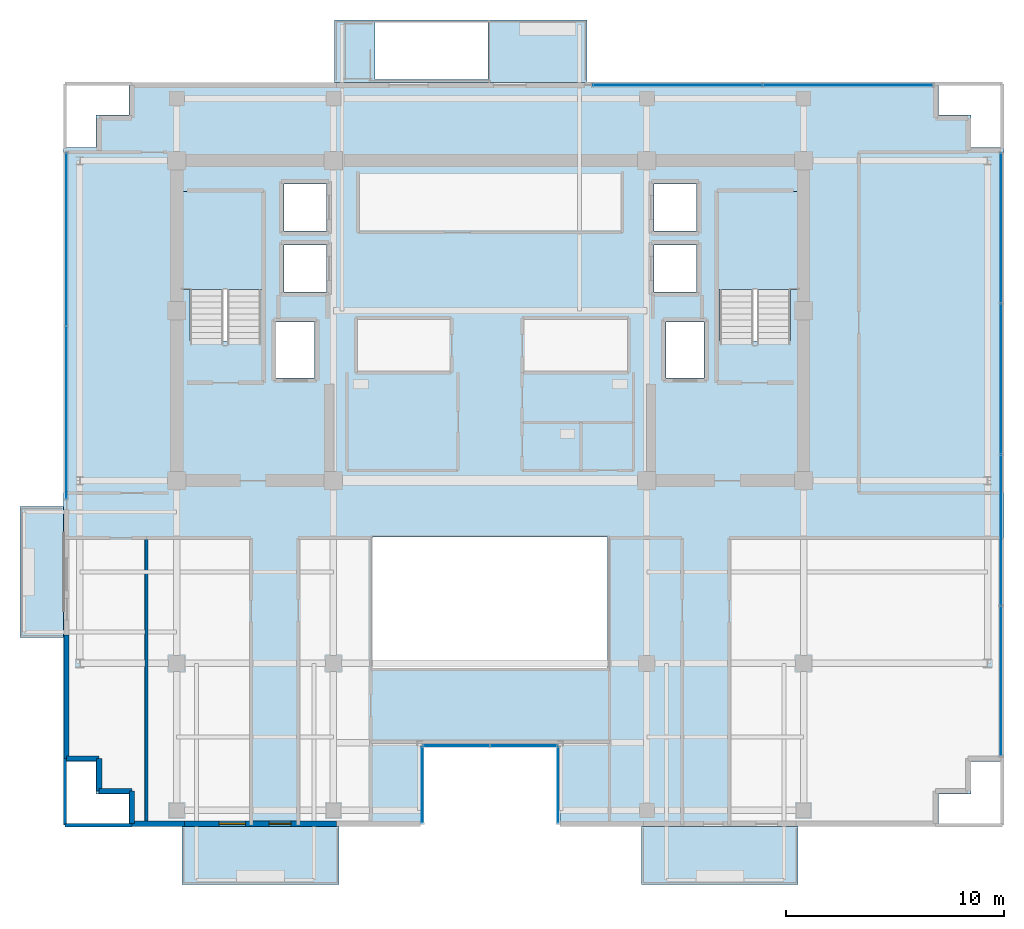
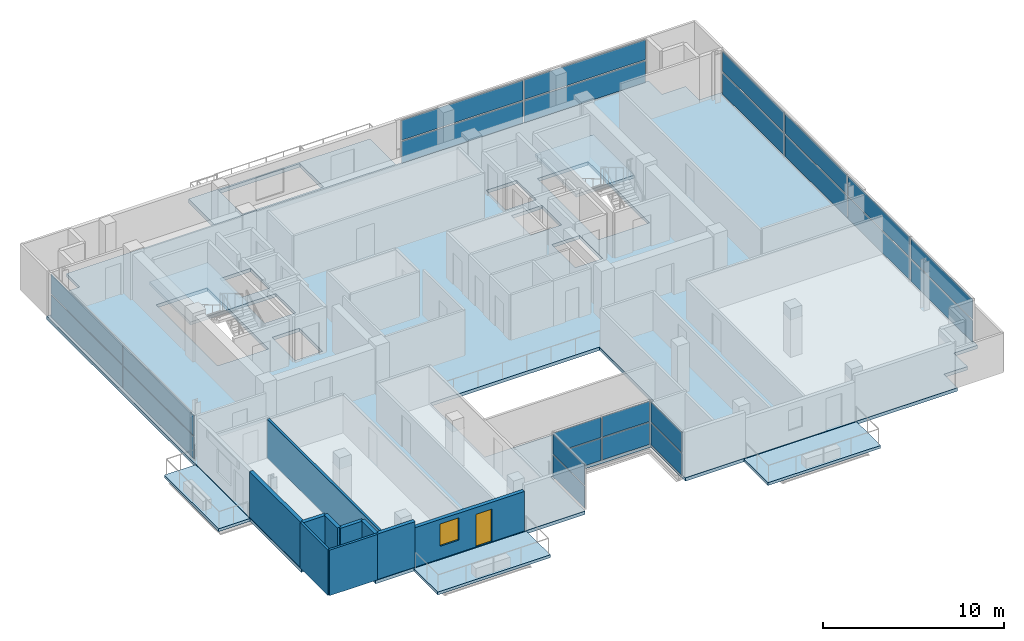
# One storey, part 15 of 24: 24 plates, 10 walls, 7 slabs, 1 door, 1 window, 2 openings, 8 elements without a shape of their own.
"""IFC4 building model written with IfcOpenShell, lengths in metres."""

from ifc_helpers import new_model, si_unit, direction, frame, frame_2d, origin, origin_2d, place, context, subcontext, project, spatial, polyline, rectangle, outline, extrude, source, transform, mapped, material, layer, layer_set, type_object, element, fill, aggregate, save


model = new_model("IFC4")

# Units and contexts
model_context = context("Model", 3, precision=1e-05, world=origin(), true_north=direction((0.0, 1.0)))
body_context = subcontext(model_context, "Body", "Model", "MODEL_VIEW")
ifc_project = project(units=[si_unit("LENGTHUNIT", "METRE"), si_unit("AREAUNIT", "SQUARE_METRE"), si_unit("VOLUMEUNIT", "CUBIC_METRE"), si_unit("PLANEANGLEUNIT", "RADIAN"), si_unit("MASSUNIT", "GRAM", prefix="KILO")], contexts=[model_context])

# Site, building, storey
site_placement = place(None, origin())
site = spatial("IfcSite", under=ifc_project, at=site_placement, CompositionType="ELEMENT")
building_placement = place(site_placement, origin())
building = spatial("IfcBuilding", under=site, at=building_placement, Name="Zarnakvel Exchange Tower", CompositionType="ELEMENT")
storey_placement = place(building_placement, frame((0.0, 0.0, 235.300048828125)))
storey = spatial("IfcBuildingStorey", under=building, at=storey_placement, Name="L66", CompositionType="ELEMENT", Elevation=235.300048828125)

# Stair, slab
ifc_material_1 = material(Name="Concrete C40/50", Category="concrete")
stair_type = type_object("IfcStairType", Name="STR-01", PredefinedType="HALF_TURN_STAIR", material=ifc_material_1)
stair_1_placement = place(storey_placement, origin())
stair_1 = element("IfcStair", 1, at=stair_1_placement, inside=storey, type_object=stair_type, Name="L66 Protected Core Exit Stair ST-01", PredefinedType="HALF_TURN_STAIR")
ifc_layer_1 = layer(ifc_material_1, 0.199951171875)
ifc_layer_set_1 = layer_set([ifc_layer_1], Name="Concrete C40/50")
slab_type_1 = type_object("IfcSlabType", Name="LDG-01", PredefinedType="LANDING", material=ifc_layer_set_1)
slab_1_placement = place(storey_placement, frame((0.0, 0.0, 1.449951171875)))
slab_1 = element("IfcSlab", 2, at=slab_1_placement, type_object=slab_type_1, Name="ST-01 landing 1", PredefinedType="LANDING", context=body_context, shape_type="SweptSolid", body=[
    extrude(outline(polyline([(-14.18994140625, 7.570068359375), (-10.4599609375, 7.570068359375), (-10.4599609375, 12.080078125), (-14.18994140625, 12.080078125), (-14.18994140625, 7.570068359375)])), origin(), (0.0, 0.0, 1.0), 0.199951171875),
])
aggregate(stair_1, [slab_1])

stair_2_placement = place(storey_placement, origin())
stair_2 = element("IfcStair", 3, at=stair_2_placement, inside=storey, type_object=stair_type, Name="L66 Protected Core Exit Stair ST-02", PredefinedType="HALF_TURN_STAIR")
slab_2_placement = place(storey_placement, frame((0.0, 0.0, 1.449951171875)))
slab_2 = element("IfcSlab", 4, at=slab_2_placement, type_object=slab_type_1, Name="ST-02 landing 1", PredefinedType="LANDING", context=body_context, shape_type="SweptSolid", body=[
    extrude(outline(polyline([(10.4599609375, 7.570068359375), (14.18994140625, 7.570068359375), (14.18994140625, 12.080078125), (10.4599609375, 12.080078125), (10.4599609375, 7.570068359375)])), origin(), (0.0, 0.0, 1.0), 0.199951171875),
])
aggregate(stair_2, [slab_2])

# Slabs
ifc_layer_2 = layer(ifc_material_1, 0.22509765625)
ifc_layer_set_2 = layer_set([ifc_layer_2], Name="Concrete C40/50")
slab_type_2 = type_object("IfcSlabType", Name="SL-04", PredefinedType="FLOOR", material=ifc_layer_set_2)
slab_3_placement = place(storey_placement, frame((0.0, 0.0, -0.22509765625)))
element("IfcSlab", 5, at=slab_3_placement, inside=storey, type_object=slab_type_2, Name="L66 Primary Structural Floor Slab", PredefinedType="FLOOR", context=body_context, shape_type="SweptSolid", body=[
    extrude(outline(polyline([(-19.60009765625, -14.10009765625), (-18.10009765625, -14.10009765625), (-18.10009765625, -15.60009765625), (-16.60009765625, -15.60009765625), (-16.60009765625, -17.10009765625), (-3.199951171875, -17.10009765625), (-3.199951171875, -13.300048828125), (3.199951171875, -13.300048828125), (3.199951171875, -17.10009765625), (20.60009765625, -17.10009765625), (20.60009765625, -15.60009765625), (22.10009765625, -15.60009765625), (22.10009765625, -14.10009765625), (23.60009765625, -14.10009765625), (23.60009765625, 14.10009765625), (22.10009765625, 14.10009765625), (22.10009765625, 15.60009765625), (20.60009765625, 15.60009765625), (20.60009765625, 17.10009765625), (-16.60009765625, 17.10009765625), (-16.60009765625, 15.60009765625), (-18.10009765625, 15.60009765625), (-18.10009765625, 14.10009765625), (-19.60009765625, 14.10009765625), (-19.60009765625, -14.10009765625)]), holes=[polyline([(-5.39990234375, -9.800048828125), (5.39990234375, -9.800048828125), (5.39990234375, -3.800048828125), (-5.39990234375, -3.800048828125), (-5.39990234375, -9.800048828125)]), polyline([(-13.800048828125, 5.2099609375), (-10.5400390625, 5.2099609375), (-10.5400390625, 12.0), (-13.800048828125, 12.0), (-13.800048828125, 5.2099609375)]), polyline([(10.5400390625, 5.2099609375), (13.800048828125, 5.2099609375), (13.800048828125, 12.0), (10.5400390625, 12.0), (10.5400390625, 5.2099609375)]), polyline([(-9.830078125, 3.52001953125), (-8.070068359375, 3.52001953125), (-8.070068359375, 6.080078125), (-9.830078125, 6.080078125), (-9.830078125, 3.52001953125)]), polyline([(8.070068359375, 3.52001953125), (9.830078125, 3.52001953125), (9.830078125, 6.080078125), (8.070068359375, 6.080078125), (8.070068359375, 3.52001953125)]), polyline([(-9.47998046875, 7.469970703125), (-7.52001953125, 7.469970703125), (-7.52001953125, 9.6298828125), (-9.47998046875, 9.6298828125), (-9.47998046875, 7.469970703125)]), polyline([(-9.47998046875, 10.27001953125), (-7.52001953125, 10.27001953125), (-7.52001953125, 12.429931640625), (-9.47998046875, 12.429931640625), (-9.47998046875, 10.27001953125)]), polyline([(7.52001953125, 7.469970703125), (9.47998046875, 7.469970703125), (9.47998046875, 9.6298828125), (7.52001953125, 9.6298828125), (7.52001953125, 7.469970703125)]), polyline([(7.52001953125, 10.27001953125), (9.47998046875, 10.27001953125), (9.47998046875, 12.429931640625), (7.52001953125, 12.429931640625), (7.52001953125, 10.27001953125)])]), origin(), (0.0, 0.0, 1.0), 0.22509765625),
])
ifc_layer_3 = layer(ifc_material_1, 0.25)
ifc_layer_set_3 = layer_set([ifc_layer_3], Name="Concrete C40/50")
slab_type_3 = type_object("IfcSlabType", Name="SL-07", PredefinedType="ROOF", material=ifc_layer_set_3)
slab_4_placement = place(storey_placement, frame((0.0, 0.0, -0.25)))
element("IfcSlab", 6, at=slab_4_placement, inside=storey, type_object=slab_type_3, Name="L66 Spiral Sky-Terrace Outdoor Slab (NW)", PredefinedType="ROOF", context=body_context, shape_type="SweptSolid", body=[
    extrude(outline(polyline([(-7.14990234375, 17.10009765625), (4.449951171875, 17.10009765625), (4.449951171875, 19.9599609375), (-7.14990234375, 19.9599609375), (-7.14990234375, 17.10009765625)]), holes=[polyline([(-5.2900390625, 17.219970703125), (-0.10009765625, 17.219970703125), (-0.10009765625, 19.840087890625), (-5.2900390625, 19.840087890625), (-5.2900390625, 17.219970703125)])]), origin(), (0.0, 0.0, 1.0), 0.25),
])
ifc_layer_4 = layer(ifc_material_1, 0.18994140625)
ifc_layer_set_4 = layer_set([ifc_layer_4], Name="Concrete C40/50")
slab_type_4 = type_object("IfcSlabType", Name="SL-08", PredefinedType="USERDEFINED", material=ifc_layer_set_4)
slab_5_placement = place(storey_placement, frame((0.0, 0.0, -0.22509765625)))
element("IfcSlab", 7, at=slab_5_placement, inside=storey, type_object=slab_type_4, Name="L66 Planted Loggia Balcony Slab BAL-L66-SW", ObjectType="BALCONY", PredefinedType="USERDEFINED", context=body_context, shape_type="SweptSolid", body=[
    extrude(outline(polyline([(-14.14990234375, -19.75), (-6.949951171875, -19.75), (-6.949951171875, -17.10009765625), (-14.14990234375, -17.10009765625), (-14.14990234375, -19.75)])), origin(), (0.0, 0.0, 1.0), 0.18994140625),
])
slab_6_placement = place(storey_placement, frame((0.0, 0.0, -0.22509765625)))
element("IfcSlab", 8, at=slab_6_placement, inside=storey, type_object=slab_type_4, Name="L66 Planted Loggia Balcony Slab BAL-L66-SE", ObjectType="BALCONY", PredefinedType="USERDEFINED", context=body_context, shape_type="SweptSolid", body=[
    extrude(outline(polyline([(6.949951171875, -19.75), (14.14990234375, -19.75), (14.14990234375, -17.10009765625), (6.949951171875, -17.10009765625), (6.949951171875, -19.75)])), origin(), (0.0, 0.0, 1.0), 0.18994140625),
])
slab_7_placement = place(storey_placement, frame((0.0, 0.0, -0.22509765625)))
element("IfcSlab", 9, at=slab_7_placement, inside=storey, type_object=slab_type_4, Name="L66 Planted Loggia Balcony Slab BAL-L66-W", ObjectType="BALCONY", PredefinedType="USERDEFINED", context=body_context, shape_type="SweptSolid", body=[
    extrude(outline(polyline([(-21.60009765625, -8.39990234375), (-19.60009765625, -8.39990234375), (-19.60009765625, -2.39990234375), (-21.60009765625, -2.39990234375), (-21.60009765625, -8.39990234375)])), origin(), (0.0, 0.0, 1.0), 0.18994140625),
])

# Curtain wall, plate
ifc_material_2 = material(Name="Architectural Bronze Anodised Aluminium", Category="aluminium")
ifc_layer_5 = layer(ifc_material_2, 0.179931640625)
ifc_layer_set_5 = layer_set([ifc_layer_5], Name="Architectural Bronze Anodised Aluminium")
curtain_wall_type_1 = type_object("IfcCurtainWallType", Name="CW-05", PredefinedType="NOTDEFINED", material=ifc_layer_set_5)
curtain_wall_1_placement = place(storey_placement, origin())
curtain_wall_1 = element("IfcCurtainWall", 10, at=curtain_wall_1_placement, inside=storey, type_object=curtain_wall_type_1, Name="L66 Curtain Wall CW-L66-SLW (CW-05)", PredefinedType="NOTDEFINED")
ifc_material_3 = material(Name="Double Low-E Laminated Vision Glass", Category="glass")
ifc_layer_6 = layer(ifc_material_3, 0.02587890625)
ifc_layer_set_6 = layer_set([ifc_layer_6], Name="Double Low-E Laminated Vision Glass")
plate_type_1 = type_object("IfcPlateType", Name="CWP-05", PredefinedType="CURTAIN_PANEL", material=ifc_layer_set_6)
shared_shape_1 = source(origin(), body_context, "Body", "SweptSolid", [
    extrude(rectangle(XDim=3.4599609375, YDim=0.02587890625, at=origin_2d()), origin(), (0.0, 0.0, 1.0), 1.483642578125),
])
plate_1_placement = place(storey_placement, frame((-3.1201171875, -15.179931640625, 0.06982421875), z_axis=(0.0, 0.0, 1.0), x_axis=(0.0, 1.0, 0.0)))
plate_1 = element("IfcPlate", 11, at=plate_1_placement, type_object=plate_type_1, Name="CW-05 panel 1.1", PredefinedType="CURTAIN_PANEL", context=body_context, shape_type="MappedRepresentation", body=[
    mapped(shared_shape_1, transform((0.0, 0.0, 0.0), x_axis=(1.0, 0.0, 0.0), y_axis=(0.0, 1.0, 0.0), z_axis=(0.0, 0.0, 1.0), scale=1.0)),
])

curtain_wall_2_placement = place(storey_placement, origin())
curtain_wall_2 = element("IfcCurtainWall", 12, at=curtain_wall_2_placement, inside=storey, type_object=curtain_wall_type_1, Name="L66 Curtain Wall CW-L66-SLE (CW-05)", PredefinedType="NOTDEFINED")
plate_2_placement = place(storey_placement, frame((3.1201171875, -15.179931640625, 0.06982421875), z_axis=(0.0, 0.0, 1.0), x_axis=(0.0, -1.0, 0.0)))
plate_2 = element("IfcPlate", 13, at=plate_2_placement, type_object=plate_type_1, Name="CW-05 panel 1.1", PredefinedType="CURTAIN_PANEL", context=body_context, shape_type="MappedRepresentation", body=[
    mapped(shared_shape_1, transform((0.0, 0.0, 0.0), x_axis=(1.0, 0.0, 0.0), y_axis=(0.0, 1.0, 0.0), z_axis=(0.0, 0.0, 1.0), scale=1.0)),
])

# Plate
shared_shape_2 = source(origin(), body_context, "Body", "SweptSolid", [
    extrude(rectangle(XDim=3.4599609375, YDim=0.02587890625, at=origin_2d()), origin(), (0.0, 0.0, 1.0), 1.361328125),
])
plate_3_placement = place(storey_placement, frame((-3.1201171875, -15.179931640625, 1.62353515625), z_axis=(0.0, 0.0, 1.0), x_axis=(0.0, 1.0, 0.0)))
plate_3 = element("IfcPlate", 14, at=plate_3_placement, type_object=plate_type_1, Name="CW-05 panel 1.2", PredefinedType="CURTAIN_PANEL", context=body_context, shape_type="MappedRepresentation", body=[
    mapped(shared_shape_2, transform((0.0, 0.0, 0.0), x_axis=(1.0, 0.0, 0.0), y_axis=(0.0, 1.0, 0.0), z_axis=(0.0, 0.0, 1.0), scale=1.0)),
])

aggregate(curtain_wall_1, [plate_1, plate_3])

plate_4_placement = place(storey_placement, frame((3.1201171875, -15.179931640625, 1.62353515625), z_axis=(0.0, 0.0, 1.0), x_axis=(0.0, -1.0, 0.0)))
plate_4 = element("IfcPlate", 15, at=plate_4_placement, type_object=plate_type_1, Name="CW-05 panel 1.2", PredefinedType="CURTAIN_PANEL", context=body_context, shape_type="MappedRepresentation", body=[
    mapped(shared_shape_2, transform((0.0, 0.0, 0.0), x_axis=(1.0, 0.0, 0.0), y_axis=(0.0, 1.0, 0.0), z_axis=(0.0, 0.0, 1.0), scale=1.0)),
])

aggregate(curtain_wall_2, [plate_2, plate_4])

# Curtain wall, plates
curtain_wall_3_placement = place(storey_placement, origin())
curtain_wall_3 = element("IfcCurtainWall", 16, at=curtain_wall_3_placement, inside=storey, type_object=curtain_wall_type_1, Name="L66 Curtain Wall CW-L66-SLB (CW-05)", PredefinedType="NOTDEFINED")
shared_shape_3 = source(origin(), body_context, "Body", "SweptSolid", [
    extrude(rectangle(XDim=3.014892578125, YDim=0.02587890625, at=origin_2d()), origin(), (0.0, 0.0, 1.0), 1.483642578125),
])
plate_5_placement = place(storey_placement, frame((-1.54248046875, -13.3798828125, 0.06982421875), z_axis=(0.0, 0.0, 1.0), x_axis=(1.0, 0.0, 0.0)))
plate_5 = element("IfcPlate", 17, at=plate_5_placement, type_object=plate_type_1, Name="CW-05 panel 1.1", PredefinedType="CURTAIN_PANEL", context=body_context, shape_type="MappedRepresentation", body=[
    mapped(shared_shape_3, transform((0.0, 0.0, 0.0), x_axis=(1.0, 0.0, 0.0), y_axis=(0.0, 1.0, 0.0), z_axis=(0.0, 0.0, 1.0), scale=1.0)),
])
plate_6_placement = place(storey_placement, frame((1.54248046875, -13.3798828125, 0.06982421875), z_axis=(0.0, 0.0, 1.0), x_axis=(1.0, 0.0, 0.0)))
plate_6 = element("IfcPlate", 18, at=plate_6_placement, type_object=plate_type_1, Name="CW-05 panel 2.1", PredefinedType="CURTAIN_PANEL", context=body_context, shape_type="MappedRepresentation", body=[
    mapped(shared_shape_3, transform((0.0, 0.0, 0.0), x_axis=(1.0, 0.0, 0.0), y_axis=(0.0, 1.0, 0.0), z_axis=(0.0, 0.0, 1.0), scale=1.0)),
])
shared_shape_4 = source(origin(), body_context, "Body", "SweptSolid", [
    extrude(rectangle(XDim=3.014892578125, YDim=0.02587890625, at=origin_2d()), origin(), (0.0, 0.0, 1.0), 1.361328125),
])
plate_7_placement = place(storey_placement, frame((-1.54248046875, -13.3798828125, 1.62353515625), z_axis=(0.0, 0.0, 1.0), x_axis=(1.0, 0.0, 0.0)))
plate_7 = element("IfcPlate", 19, at=plate_7_placement, type_object=plate_type_1, Name="CW-05 panel 1.2", PredefinedType="CURTAIN_PANEL", context=body_context, shape_type="MappedRepresentation", body=[
    mapped(shared_shape_4, transform((0.0, 0.0, 0.0), x_axis=(1.0, 0.0, 0.0), y_axis=(0.0, 1.0, 0.0), z_axis=(0.0, 0.0, 1.0), scale=1.0)),
])
plate_8_placement = place(storey_placement, frame((1.54248046875, -13.3798828125, 1.62353515625), z_axis=(0.0, 0.0, 1.0), x_axis=(1.0, 0.0, 0.0)))
plate_8 = element("IfcPlate", 20, at=plate_8_placement, type_object=plate_type_1, Name="CW-05 panel 2.2", PredefinedType="CURTAIN_PANEL", context=body_context, shape_type="MappedRepresentation", body=[
    mapped(shared_shape_4, transform((0.0, 0.0, 0.0), x_axis=(1.0, 0.0, 0.0), y_axis=(0.0, 1.0, 0.0), z_axis=(0.0, 0.0, 1.0), scale=1.0)),
])
aggregate(curtain_wall_3, [plate_5, plate_7, plate_6, plate_8])

ifc_layer_7 = layer(ifc_material_2, 0.219970703125)
ifc_layer_set_7 = layer_set([ifc_layer_7], Name="Architectural Bronze Anodised Aluminium")
curtain_wall_type_2 = type_object("IfcCurtainWallType", Name="CW-03", PredefinedType="NOTDEFINED", material=ifc_layer_set_7)
curtain_wall_4_placement = place(storey_placement, origin())
curtain_wall_4 = element("IfcCurtainWall", 21, at=curtain_wall_4_placement, inside=storey, type_object=curtain_wall_type_2, Name="L66 Curtain Wall CW-L66-N1 (CW-03)", PredefinedType="NOTDEFINED")
ifc_layer_8 = layer(ifc_material_3, 0.030029296875)
ifc_layer_set_8 = layer_set([ifc_layer_8], Name="Double Low-E Laminated Vision Glass")
plate_type_2 = type_object("IfcPlateType", Name="CWP-03", PredefinedType="CURTAIN_PANEL", material=ifc_layer_set_8)
shared_shape_5 = source(origin(), body_context, "Body", "SweptSolid", [
    extrude(rectangle(XDim=7.7548828125, YDim=0.030029296875, at=origin_2d()), origin(), (0.0, 0.0, 1.0), 1.468505859375),
])
plate_9_placement = place(storey_placement, frame((8.607421875, 16.9599609375, 0.080078125), z_axis=(0.0, 0.0, 1.0), x_axis=(1.0, 0.0, 0.0)))
plate_9 = element("IfcPlate", 22, at=plate_9_placement, type_object=plate_type_2, Name="CW-03 panel 1.1", PredefinedType="CURTAIN_PANEL", context=body_context, shape_type="MappedRepresentation", body=[
    mapped(shared_shape_5, transform((0.0, 0.0, 0.0), x_axis=(1.0, 0.0, 0.0), y_axis=(0.0, 1.0, 0.0), z_axis=(0.0, 0.0, 1.0), scale=1.0)),
])
plate_10_placement = place(storey_placement, frame((16.4423828125, 16.9599609375, 0.080078125), z_axis=(0.0, 0.0, 1.0), x_axis=(1.0, 0.0, 0.0)))
plate_10 = element("IfcPlate", 23, at=plate_10_placement, type_object=plate_type_2, Name="CW-03 panel 2.1", PredefinedType="CURTAIN_PANEL", context=body_context, shape_type="MappedRepresentation", body=[
    mapped(shared_shape_5, transform((0.0, 0.0, 0.0), x_axis=(1.0, 0.0, 0.0), y_axis=(0.0, 1.0, 0.0), z_axis=(0.0, 0.0, 1.0), scale=1.0)),
])
shared_shape_6 = source(origin(), body_context, "Body", "SweptSolid", [
    extrude(rectangle(XDim=7.7548828125, YDim=0.030029296875, at=origin_2d()), origin(), (0.0, 0.0, 1.0), 1.346435546875),
])
plate_11_placement = place(storey_placement, frame((8.607421875, 16.9599609375, 1.62841796875), z_axis=(0.0, 0.0, 1.0), x_axis=(1.0, 0.0, 0.0)))
plate_11 = element("IfcPlate", 24, at=plate_11_placement, type_object=plate_type_2, Name="CW-03 panel 1.2", PredefinedType="CURTAIN_PANEL", context=body_context, shape_type="MappedRepresentation", body=[
    mapped(shared_shape_6, transform((0.0, 0.0, 0.0), x_axis=(1.0, 0.0, 0.0), y_axis=(0.0, 1.0, 0.0), z_axis=(0.0, 0.0, 1.0), scale=1.0)),
])
plate_12_placement = place(storey_placement, frame((16.4423828125, 16.9599609375, 1.62841796875), z_axis=(0.0, 0.0, 1.0), x_axis=(1.0, 0.0, 0.0)))
plate_12 = element("IfcPlate", 25, at=plate_12_placement, type_object=plate_type_2, Name="CW-03 panel 2.2", PredefinedType="CURTAIN_PANEL", context=body_context, shape_type="MappedRepresentation", body=[
    mapped(shared_shape_6, transform((0.0, 0.0, 0.0), x_axis=(1.0, 0.0, 0.0), y_axis=(0.0, 1.0, 0.0), z_axis=(0.0, 0.0, 1.0), scale=1.0)),
])
aggregate(curtain_wall_4, [plate_9, plate_11, plate_10, plate_12])

ifc_layer_9 = layer(ifc_material_2, 0.199951171875)
ifc_layer_set_9 = layer_set([ifc_layer_9], Name="Architectural Bronze Anodised Aluminium")
curtain_wall_type_3 = type_object("IfcCurtainWallType", Name="CW-04", PredefinedType="NOTDEFINED", material=ifc_layer_set_9)
curtain_wall_5_placement = place(storey_placement, origin())
curtain_wall_5 = element("IfcCurtainWall", 26, at=curtain_wall_5_placement, inside=storey, type_object=curtain_wall_type_3, Name="L66 Curtain Wall CW-L66-E1 (CW-04)", PredefinedType="NOTDEFINED")
ifc_layer_10 = layer(ifc_material_3, 0.028076171875)
ifc_layer_set_10 = layer_set([ifc_layer_10], Name="Double Low-E Laminated Vision Glass")
plate_type_3 = type_object("IfcPlateType", Name="CWP-04", PredefinedType="CURTAIN_PANEL", material=ifc_layer_set_10)
shared_shape_7 = source(origin(), body_context, "Body", "SweptSolid", [
    extrude(rectangle(XDim=6.83740234375, YDim=0.028076171875, at=origin_2d()), origin(), (0.0, 0.0, 1.0), 1.47607421875),
])
plate_13_placement = place(storey_placement, frame((23.4599609375, -10.40625, 0.074951171875), z_axis=(0.0, 0.0, 1.0), x_axis=(0.0, 1.0, 0.0)))
plate_13 = element("IfcPlate", 27, at=plate_13_placement, type_object=plate_type_3, Name="CW-04 panel 1.1", PredefinedType="CURTAIN_PANEL", context=body_context, shape_type="MappedRepresentation", body=[
    mapped(shared_shape_7, transform((0.0, 0.0, 0.0), x_axis=(1.0, 0.0, 0.0), y_axis=(0.0, 1.0, 0.0), z_axis=(0.0, 0.0, 1.0), scale=1.0)),
])
plate_14_placement = place(storey_placement, frame((23.4599609375, 10.40625, 0.074951171875), z_axis=(0.0, 0.0, 1.0), x_axis=(0.0, 1.0, 0.0)))
plate_14 = element("IfcPlate", 28, at=plate_14_placement, type_object=plate_type_3, Name="CW-04 panel 4.1", PredefinedType="CURTAIN_PANEL", context=body_context, shape_type="MappedRepresentation", body=[
    mapped(shared_shape_7, transform((0.0, 0.0, 0.0), x_axis=(1.0, 0.0, 0.0), y_axis=(0.0, 1.0, 0.0), z_axis=(0.0, 0.0, 1.0), scale=1.0)),
])
shared_shape_8 = source(origin(), body_context, "Body", "SweptSolid", [
    extrude(rectangle(XDim=6.83740234375, YDim=0.028076171875, at=origin_2d()), origin(), (0.0, 0.0, 1.0), 1.35400390625),
])
plate_15_placement = place(storey_placement, frame((23.4599609375, -10.40625, 1.6259765625), z_axis=(0.0, 0.0, 1.0), x_axis=(0.0, 1.0, 0.0)))
plate_15 = element("IfcPlate", 29, at=plate_15_placement, type_object=plate_type_3, Name="CW-04 panel 1.2", PredefinedType="CURTAIN_PANEL", context=body_context, shape_type="MappedRepresentation", body=[
    mapped(shared_shape_8, transform((0.0, 0.0, 0.0), x_axis=(1.0, 0.0, 0.0), y_axis=(0.0, 1.0, 0.0), z_axis=(0.0, 0.0, 1.0), scale=1.0)),
])
plate_16_placement = place(storey_placement, frame((23.4599609375, 10.40625, 1.6259765625), z_axis=(0.0, 0.0, 1.0), x_axis=(0.0, 1.0, 0.0)))
plate_16 = element("IfcPlate", 30, at=plate_16_placement, type_object=plate_type_3, Name="CW-04 panel 4.2", PredefinedType="CURTAIN_PANEL", context=body_context, shape_type="MappedRepresentation", body=[
    mapped(shared_shape_8, transform((0.0, 0.0, 0.0), x_axis=(1.0, 0.0, 0.0), y_axis=(0.0, 1.0, 0.0), z_axis=(0.0, 0.0, 1.0), scale=1.0)),
])
shared_shape_9 = source(origin(), body_context, "Body", "SweptSolid", [
    extrude(rectangle(XDim=6.875, YDim=0.028076171875, at=origin_2d()), origin(), (0.0, 0.0, 1.0), 1.47607421875),
])
plate_17_placement = place(storey_placement, frame((23.4599609375, -3.47509765625, 0.074951171875), z_axis=(0.0, 0.0, 1.0), x_axis=(0.0, 1.0, 0.0)))
plate_17 = element("IfcPlate", 31, at=plate_17_placement, type_object=plate_type_3, Name="CW-04 panel 2.1", PredefinedType="CURTAIN_PANEL", context=body_context, shape_type="MappedRepresentation", body=[
    mapped(shared_shape_9, transform((0.0, 0.0, 0.0), x_axis=(1.0, 0.0, 0.0), y_axis=(0.0, 1.0, 0.0), z_axis=(0.0, 0.0, 1.0), scale=1.0)),
])
plate_18_placement = place(storey_placement, frame((23.4599609375, 3.47509765625, 0.074951171875), z_axis=(0.0, 0.0, 1.0), x_axis=(0.0, 1.0, 0.0)))
plate_18 = element("IfcPlate", 32, at=plate_18_placement, type_object=plate_type_3, Name="CW-04 panel 3.1", PredefinedType="CURTAIN_PANEL", context=body_context, shape_type="MappedRepresentation", body=[
    mapped(shared_shape_9, transform((0.0, 0.0, 0.0), x_axis=(1.0, 0.0, 0.0), y_axis=(0.0, 1.0, 0.0), z_axis=(0.0, 0.0, 1.0), scale=1.0)),
])
shared_shape_10 = source(origin(), body_context, "Body", "SweptSolid", [
    extrude(rectangle(XDim=6.875, YDim=0.028076171875, at=origin_2d()), origin(), (0.0, 0.0, 1.0), 1.35400390625),
])
plate_19_placement = place(storey_placement, frame((23.4599609375, -3.47509765625, 1.6259765625), z_axis=(0.0, 0.0, 1.0), x_axis=(0.0, 1.0, 0.0)))
plate_19 = element("IfcPlate", 33, at=plate_19_placement, type_object=plate_type_3, Name="CW-04 panel 2.2", PredefinedType="CURTAIN_PANEL", context=body_context, shape_type="MappedRepresentation", body=[
    mapped(shared_shape_10, transform((0.0, 0.0, 0.0), x_axis=(1.0, 0.0, 0.0), y_axis=(0.0, 1.0, 0.0), z_axis=(0.0, 0.0, 1.0), scale=1.0)),
])
plate_20_placement = place(storey_placement, frame((23.4599609375, 3.47509765625, 1.6259765625), z_axis=(0.0, 0.0, 1.0), x_axis=(0.0, 1.0, 0.0)))
plate_20 = element("IfcPlate", 34, at=plate_20_placement, type_object=plate_type_3, Name="CW-04 panel 3.2", PredefinedType="CURTAIN_PANEL", context=body_context, shape_type="MappedRepresentation", body=[
    mapped(shared_shape_10, transform((0.0, 0.0, 0.0), x_axis=(1.0, 0.0, 0.0), y_axis=(0.0, 1.0, 0.0), z_axis=(0.0, 0.0, 1.0), scale=1.0)),
])
aggregate(curtain_wall_5, [plate_13, plate_15, plate_17, plate_19, plate_18, plate_20, plate_14, plate_16])

curtain_wall_6_placement = place(storey_placement, origin())
curtain_wall_6 = element("IfcCurtainWall", 35, at=curtain_wall_6_placement, inside=storey, type_object=curtain_wall_type_3, Name="L66 Curtain Wall CW-L66-WN (CW-04)", PredefinedType="NOTDEFINED")
shared_shape_11 = source(origin(), body_context, "Body", "SweptSolid", [
    extrude(rectangle(XDim=7.887451171875, YDim=0.028076171875, at=origin_2d()), origin(), (0.0, 0.0, 1.0), 1.47607421875),
])
plate_21_placement = place(storey_placement, frame((-19.4599609375, 1.918701171875, 0.074951171875), z_axis=(0.0, 0.0, 1.0), x_axis=(0.0, 1.0, 0.0)))
plate_21 = element("IfcPlate", 36, at=plate_21_placement, type_object=plate_type_3, Name="CW-04 panel 1.1", PredefinedType="CURTAIN_PANEL", context=body_context, shape_type="MappedRepresentation", body=[
    mapped(shared_shape_11, transform((0.0, 0.0, 0.0), x_axis=(1.0, 0.0, 0.0), y_axis=(0.0, 1.0, 0.0), z_axis=(0.0, 0.0, 1.0), scale=1.0)),
])
plate_22_placement = place(storey_placement, frame((-19.4599609375, 9.88134765625, 0.074951171875), z_axis=(0.0, 0.0, 1.0), x_axis=(0.0, 1.0, 0.0)))
plate_22 = element("IfcPlate", 37, at=plate_22_placement, type_object=plate_type_3, Name="CW-04 panel 2.1", PredefinedType="CURTAIN_PANEL", context=body_context, shape_type="MappedRepresentation", body=[
    mapped(shared_shape_11, transform((0.0, 0.0, 0.0), x_axis=(1.0, 0.0, 0.0), y_axis=(0.0, 1.0, 0.0), z_axis=(0.0, 0.0, 1.0), scale=1.0)),
])
shared_shape_12 = source(origin(), body_context, "Body", "SweptSolid", [
    extrude(rectangle(XDim=7.887451171875, YDim=0.028076171875, at=origin_2d()), origin(), (0.0, 0.0, 1.0), 1.35400390625),
])
plate_23_placement = place(storey_placement, frame((-19.4599609375, 1.918701171875, 1.6259765625), z_axis=(0.0, 0.0, 1.0), x_axis=(0.0, 1.0, 0.0)))
plate_23 = element("IfcPlate", 38, at=plate_23_placement, type_object=plate_type_3, Name="CW-04 panel 1.2", PredefinedType="CURTAIN_PANEL", context=body_context, shape_type="MappedRepresentation", body=[
    mapped(shared_shape_12, transform((0.0, 0.0, 0.0), x_axis=(1.0, 0.0, 0.0), y_axis=(0.0, 1.0, 0.0), z_axis=(0.0, 0.0, 1.0), scale=1.0)),
])
plate_24_placement = place(storey_placement, frame((-19.4599609375, 9.88134765625, 1.6259765625), z_axis=(0.0, 0.0, 1.0), x_axis=(0.0, 1.0, 0.0)))
plate_24 = element("IfcPlate", 39, at=plate_24_placement, type_object=plate_type_3, Name="CW-04 panel 2.2", PredefinedType="CURTAIN_PANEL", context=body_context, shape_type="MappedRepresentation", body=[
    mapped(shared_shape_12, transform((0.0, 0.0, 0.0), x_axis=(1.0, 0.0, 0.0), y_axis=(0.0, 1.0, 0.0), z_axis=(0.0, 0.0, 1.0), scale=1.0)),
])
aggregate(curtain_wall_6, [plate_21, plate_23, plate_22, plate_24])

# Wall, openings, door, window
ifc_material_4 = material(Name="Precast concrete C40/50", Category="concrete")
ifc_layer_11 = layer(ifc_material_4, 0.239990234375)
ifc_layer_set_11 = layer_set([ifc_layer_11], Name="Precast concrete C40/50")
wall_type_1 = type_object("IfcWallType", Name="EW-02", PredefinedType="SOLIDWALL", material=ifc_layer_set_11)
wall_1_placement = place(storey_placement, frame((-7.050048828125, -16.9599609375, 0.0), z_axis=(0.0, 0.0, 1.0), x_axis=(-1.0, 0.0, 0.0)))
wall_1 = element("IfcWall", 40, at=wall_1_placement, inside=storey, type_object=wall_type_1, Name="L66 Exterior Precast Spandrel Wall EW-BAL-L66-SW (EW-02)", PredefinedType="SOLIDWALL", context=body_context, shape_type="SweptSolid", body=[
    extrude(rectangle(XDim=7.0, YDim=0.239990234375, at=frame_2d((3.5, 0.0))), origin(), (0.0, 0.0, 1.0), 2.6650390625),
])
opening_1_placement = place(wall_1_placement, frame((2.10009765625, 0.0, 0.0)))
opening_1 = element("IfcOpeningElement", 41, at=opening_1_placement, cuts=wall_1, Name="Opening BD-L66-01", PredefinedType="OPENING", context=body_context, shape_type="SweptSolid", body=[
    extrude(rectangle(XDim=1.0, YDim=2.199951171875, at=frame_2d((0.5, 1.10009765625))), frame((0.0, 0.1298828125, 0.0), z_axis=(0.0, -1.0, 0.0), x_axis=(1.0, 0.0, 0.0)), (0.0, 0.0, 1.0), 0.260009765625),
])
opening_2_placement = place(wall_1_placement, frame((4.199951171875, 0.0, 0.85009765625)))
opening_2 = element("IfcOpeningElement", 42, at=opening_2_placement, cuts=wall_1, Name="Opening WN-04", PredefinedType="OPENING", context=body_context, shape_type="SweptSolid", body=[
    extrude(rectangle(XDim=1.199951171875, YDim=1.5, at=frame_2d((0.60009765625, 0.75))), frame((0.0, 0.1298828125, 0.0), z_axis=(0.0, -1.0, 0.0), x_axis=(1.0, 0.0, 0.0)), (0.0, 0.0, 1.0), 0.260009765625),
])
door_type = type_object("IfcDoorType", Name="DT-09", OperationType="NOTDEFINED", PredefinedType="DOOR", material=ifc_material_2)
shared_shape_13 = source(origin(), body_context, "Body", "SweptSolid", [
    extrude(rectangle(XDim=1.0, YDim=2.199951171875, at=frame_2d((0.5, 1.10009765625))), frame((0.0, 0.02490234375, 0.0), z_axis=(0.0, -1.0, 0.0), x_axis=(1.0, 0.0, 0.0)), (0.0, 0.0, 1.0), 0.050048828125),
])
door_placement = place(opening_1_placement, origin())
door = element("IfcDoor", 43, at=door_placement, inside=storey, type_object=door_type, Name="L66 Planted Loggia Balcony Door BD-L66-01", OperationType="SINGLE_SWING_RIGHT", OverallHeight=2.199951171875, OverallWidth=1.0, PredefinedType="DOOR", context=body_context, shape_type="MappedRepresentation", body=[
    mapped(shared_shape_13, transform((0.0, 0.0, 0.0), x_axis=(1.0, 0.0, 0.0), y_axis=(0.0, 1.0, 0.0), z_axis=(0.0, 0.0, 1.0), scale=1.0)),
])
fill(opening_1, door)
window_type = type_object("IfcWindowType", Name="WN-04", PartitioningType="SINGLE_PANEL", PredefinedType="WINDOW", material=ifc_material_3)
shared_shape_14 = source(origin(), body_context, "Body", "SweptSolid", [
    extrude(rectangle(XDim=1.199951171875, YDim=1.5, at=frame_2d((0.60009765625, 0.75))), frame((0.0, 0.030029296875, 0.0), z_axis=(0.0, -1.0, 0.0), x_axis=(1.0, 0.0, 0.0)), (0.0, 0.0, 1.0), 0.06005859375),
])
window_placement = place(opening_2_placement, origin())
window = element("IfcWindow", 44, at=window_placement, inside=storey, type_object=window_type, Name="L66 Loggia Daylight Window (WN-04)", OverallHeight=1.5, OverallWidth=1.199951171875, PartitioningType="SINGLE_PANEL", PredefinedType="WINDOW", context=body_context, shape_type="MappedRepresentation", body=[
    mapped(shared_shape_14, transform((0.0, 0.0, 0.0), x_axis=(1.0, 0.0, 0.0), y_axis=(0.0, 1.0, 0.0), z_axis=(0.0, 0.0, 1.0), scale=1.0)),
])
fill(opening_2, window)

# Walls
wall_2_placement = place(storey_placement, frame((-19.4599609375, -8.300048828125, 0.0), z_axis=(0.0, 0.0, 1.0), x_axis=(0.0, -1.0, 0.0)))
element("IfcWall", 45, at=wall_2_placement, inside=storey, type_object=wall_type_1, Name="L66 Exterior Precast Spandrel Wall EWC-L66-01 (EW-02)", PredefinedType="SOLIDWALL", context=body_context, shape_type="SweptSolid", body=[
    extrude(rectangle(XDim=5.659912109375, YDim=0.239990234375, at=frame_2d((2.830078125, 0.0))), origin(), (0.0, 0.0, 1.0), 3.074951171875),
])
wall_3_placement = place(storey_placement, frame((-16.4599609375, -16.9599609375, 0.0), z_axis=(0.0, 0.0, 1.0), x_axis=(1.0, 0.0, 0.0)))
element("IfcWall", 46, at=wall_3_placement, inside=storey, type_object=wall_type_1, Name="L66 Exterior Precast Spandrel Wall EWC-L66-24 (EW-02)", PredefinedType="SOLIDWALL", context=body_context, shape_type="SweptSolid", body=[
    extrude(rectangle(XDim=2.409912109375, YDim=0.239990234375, at=frame_2d((1.205078125, 0.0))), origin(), (0.0, 0.0, 1.0), 3.074951171875),
])
for number, where, z_axis, x_axis, name in (
    (47, (-16.4599609375, -15.4599609375, 0.0), (0.0, 0.0, 1.0), (0.0, -1.0, 0.0), "L66 Exterior Precast Spandrel Wall EWC-L66-25 (EW-02)"),
    (48, (-17.9599609375, -15.4599609375, 0.0), (0.0, 0.0, 1.0), (1.0, 0.0, 0.0), "L66 Exterior Precast Spandrel Wall EWC-L66-26 (EW-02)"),
    (49, (-17.9599609375, -13.9599609375, 0.0), (0.0, 0.0, 1.0), (0.0, -1.0, 0.0), "L66 Exterior Precast Spandrel Wall EWC-L66-27 (EW-02)"),
    (50, (-19.4599609375, -13.9599609375, 0.0), (0.0, 0.0, 1.0), (1.0, 0.0, 0.0), "L66 Exterior Precast Spandrel Wall EWC-L66-28 (EW-02)"),
):
    element("IfcWall", number, at=place(storey_placement, frame(where, z_axis=z_axis, x_axis=x_axis)), inside=storey, type_object=wall_type_1, Name=name, PredefinedType="SOLIDWALL", context=body_context, shape_type="SweptSolid", body=[
        extrude(rectangle(XDim=1.5, YDim=0.239990234375, at=frame_2d((0.75, 0.0))), origin(), (0.0, 0.0, 1.0), 3.074951171875),
    ])
ifc_material_5 = material(Name="Fire-Rated Gypsum Stud Partition", Category="gypsum")
ifc_layer_12 = layer(ifc_material_5, 0.14990234375)
ifc_layer_set_12 = layer_set([ifc_layer_12], Name="Fire-Rated Gypsum Stud Partition")
wall_type_2 = type_object("IfcWallType", Name="PT-01", PredefinedType="PARTITIONING", material=ifc_layer_set_12)
for number, where, z_axis, x_axis, name in (
    (51, (-16.4599609375, -17.030029296875, 0.0), (0.0, 0.0, 1.0), (-1.0, 0.0, 0.0), "L66 Partition Wall PWALL-L66-033 (PT-01)"),
    (52, (-19.530029296875, -17.030029296875, 0.0), (0.0, 0.0, 1.0), (0.0, 1.0, 0.0), "L66 Partition Wall PWALL-L66-035 (PT-01)"),
):
    element("IfcWall", number, at=place(storey_placement, frame(where, z_axis=z_axis, x_axis=x_axis)), inside=storey, type_object=wall_type_2, Name=name, PredefinedType="PARTITIONING", context=body_context, shape_type="SweptSolid", body=[
        extrude(rectangle(XDim=3.070068359375, YDim=0.14990234375, at=frame_2d((1.53515625, 0.0))), origin(), (0.0, 0.0, 1.0), 3.074951171875),
    ])
wall_4_placement = place(storey_placement, frame((-15.791748046875, -3.830078125, 0.0), z_axis=(0.0, 0.0, 1.0), x_axis=(0.0, -1.0, 0.0)))
element("IfcWall", 53, at=wall_4_placement, inside=storey, type_object=wall_type_2, Name="L66 Partition Wall PWALL-L66-036 (PT-01)", PredefinedType="PARTITIONING", context=body_context, shape_type="SweptSolid", body=[
    extrude(rectangle(XDim=13.199951171875, YDim=0.14990234375, at=frame_2d((6.60009765625, 0.0))), origin(), (0.0, 0.0, 1.0), 2.614990234375),
])

save(model, "model.ifc")
